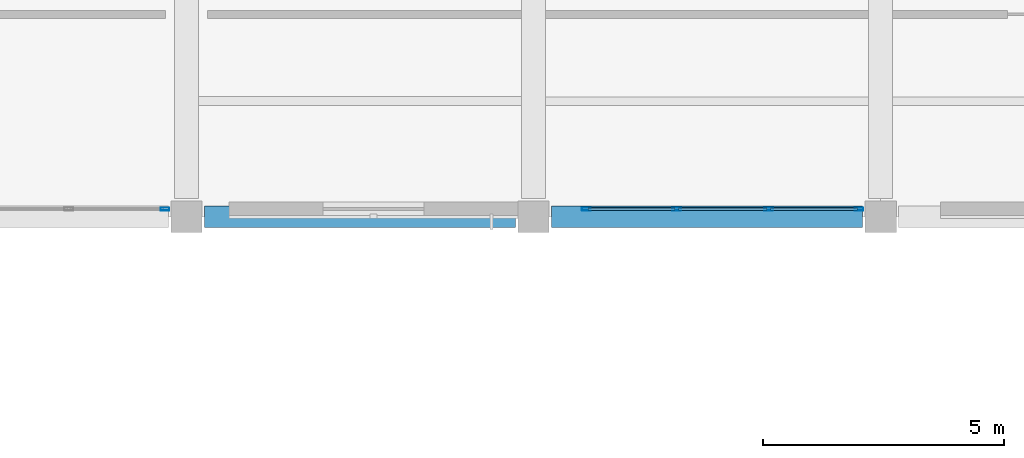
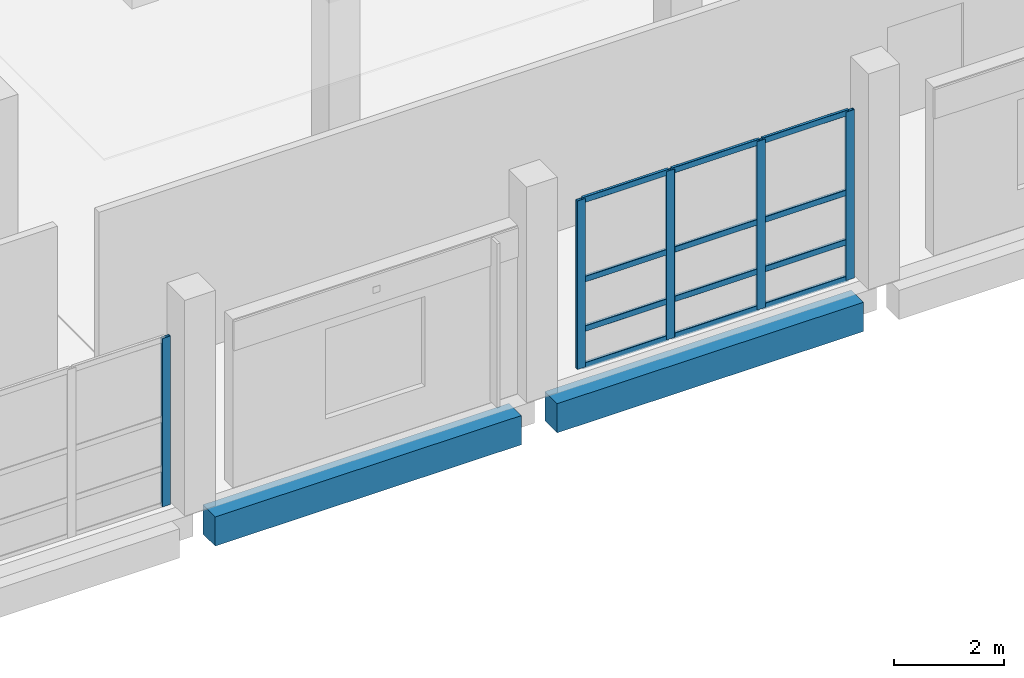
# One storey, part 53 of 127: 17 members, 2 beams, 2 elements without a shape of their own.
"""IFC4 building model written with IfcOpenShell, lengths in metres."""

from ifc_helpers import new_model, si_unit, direction, frame, origin, origin_2d, place, context, subcontext, project, spatial, rectangle, hollow_rectangle, extrude, material, material_profile, profile_set, type_object, element, aggregate, save


model = new_model("IFC4")

# Units and contexts
model_context = context("Model", 3, precision=1e-05, world=origin(), true_north=direction((0.0, 1.0)))
body_context = subcontext(model_context, "Body", "Model", "MODEL_VIEW")
ifc_project = project(units=[si_unit("LENGTHUNIT", "METRE"), si_unit("AREAUNIT", "SQUARE_METRE"), si_unit("VOLUMEUNIT", "CUBIC_METRE"), si_unit("PLANEANGLEUNIT", "RADIAN"), si_unit("MASSUNIT", "GRAM", prefix="KILO")], contexts=[model_context])

# Site, building, storey
site_placement = place(None, origin())
site = spatial("IfcSite", under=ifc_project, at=site_placement, CompositionType="ELEMENT")
building_placement = place(site_placement, origin())
building = spatial("IfcBuilding", under=site, at=building_placement, Name="Kalmorath City Hall", CompositionType="ELEMENT")
storey_placement = place(building_placement, frame((0.0, 0.0, 5.39990234375)))
storey = spatial("IfcBuildingStorey", under=building, at=storey_placement, Name="L01", CompositionType="ELEMENT", Elevation=5.39990234375)

# Beams
ifc_material_1 = material(Name="Concrete C40/50", Category="concrete")
ifc_material_profile_1 = material_profile(ifc_material_1, rectangle(XDim=0.449951171875, YDim=0.64990234375, at=origin_2d()), Name="RC-BM-450X650")
ifc_profile_set_1 = profile_set([ifc_material_profile_1], Name="Concrete C40/50")
beam_type = type_object("IfcBeamType", Name="Concrete spandrel beam 450x650", PredefinedType="SPANDREL", material=ifc_profile_set_1)
for number, where, z_axis, x_axis, name in (
    (1, (65.175048828125, 93.60009765625, -0.64892578125), (1.0, 0.0, 0.0), (0.0, 1.0, 0.0), "L01 girder CB5 X10-11/14"),
    (2, (72.375, 93.60009765625, -0.64892578125), (1.0, 0.0, 0.0), (0.0, 1.0, 0.0), "L01 girder CB5 X11-12/14"),
):
    element("IfcBeam", number, at=place(storey_placement, frame(where, z_axis=z_axis, x_axis=x_axis)), inside=storey, type_object=beam_type, Name=name, PredefinedType="SPANDREL", context=body_context, shape_type="SweptSolid", body=[
        extrude(rectangle(XDim=0.449951171875, YDim=0.64990234375, at=origin_2d()), origin(), (0.0, 0.0, 1.0), 6.449951171875),
    ])

# Curtain wall, members
ifc_material_2 = material(Name="Anodised aluminium and laminated glass", Category="aluminium")
curtain_wall_type_1 = type_object("IfcCurtainWallType", Name="Unitised hurricane curtain wall 5724x3751 M1750", PredefinedType="NOTDEFINED", material=ifc_material_2)
curtain_wall_1_placement = place(storey_placement, origin())
curtain_wall_1 = element("IfcCurtainWall", 3, at=curtain_wall_1_placement, inside=storey, type_object=curtain_wall_type_1, Name="L01 curtain wall CW-57X38M18 #104", PredefinedType="NOTDEFINED")
ifc_material_3 = material(Name="Anodised aluminium framing", Category="aluminium")
ifc_material_profile_2 = material_profile(ifc_material_3, hollow_rectangle(XDim=0.06494140625, YDim=0.179931640625, WallThickness=0.00390625, InnerFilletRadius=0.00390625, OuterFilletRadius=0.008056640625, at=origin_2d()), Name="ALU-MUL-180X65X4")
ifc_profile_set_2 = profile_set([ifc_material_profile_2], Name="Anodised aluminium framing")
member_type_1 = type_object("IfcMemberType", Name="Curtain-wall courtyard mullion 180x65", PredefinedType="MULLION", material=ifc_profile_set_2)
member_1_placement = place(storey_placement, frame((78.75244140625, 93.760009765625, 0.0), z_axis=(0.0, 0.0, 1.0), x_axis=(0.0, -1.0, 0.0)))
member_1 = element("IfcMember", 4, at=member_1_placement, type_object=member_type_1, Name="CW-57X38M18 mullion 1", PredefinedType="MULLION", context=body_context, shape_type="SweptSolid", body=[
    extrude(hollow_rectangle(XDim=0.06494140625, YDim=0.179931640625, WallThickness=0.00390625, InnerFilletRadius=0.00390625, OuterFilletRadius=0.008056640625, at=origin_2d()), origin(), (0.0, 0.0, 1.0), 3.7509765625),
])
member_2_placement = place(storey_placement, frame((76.877197265625, 93.760009765625, 0.0), z_axis=(0.0, 0.0, 1.0), x_axis=(0.0, -1.0, 0.0)))
member_2 = element("IfcMember", 5, at=member_2_placement, type_object=member_type_1, Name="CW-57X38M18 mullion 2", PredefinedType="MULLION", context=body_context, shape_type="SweptSolid", body=[
    extrude(hollow_rectangle(XDim=0.06494140625, YDim=0.179931640625, WallThickness=0.00390625, InnerFilletRadius=0.00390625, OuterFilletRadius=0.008056640625, at=origin_2d()), origin(), (0.0, 0.0, 1.0), 3.7509765625),
])
member_3_placement = place(storey_placement, frame((74.96923828125, 93.760009765625, 0.0), z_axis=(0.0, 0.0, 1.0), x_axis=(0.0, -1.0, 0.0)))
member_3 = element("IfcMember", 6, at=member_3_placement, type_object=member_type_1, Name="CW-57X38M18 mullion 3", PredefinedType="MULLION", context=body_context, shape_type="SweptSolid", body=[
    extrude(hollow_rectangle(XDim=0.06494140625, YDim=0.179931640625, WallThickness=0.00390625, InnerFilletRadius=0.00390625, OuterFilletRadius=0.008056640625, at=origin_2d()), origin(), (0.0, 0.0, 1.0), 3.7509765625),
])
member_4_placement = place(storey_placement, frame((73.093994140625, 93.760009765625, 0.0), z_axis=(0.0, 0.0, 1.0), x_axis=(0.0, -1.0, 0.0)))
member_4 = element("IfcMember", 7, at=member_4_placement, type_object=member_type_1, Name="CW-57X38M18 mullion 4", PredefinedType="MULLION", context=body_context, shape_type="SweptSolid", body=[
    extrude(hollow_rectangle(XDim=0.06494140625, YDim=0.179931640625, WallThickness=0.00390625, InnerFilletRadius=0.00390625, OuterFilletRadius=0.008056640625, at=origin_2d()), origin(), (0.0, 0.0, 1.0), 3.7509765625),
])

# Curtain wall, member
ifc_material_4 = material(Name="Anodised aluminium and laminated glass", Category="aluminium")
curtain_wall_type_2 = type_object("IfcCurtainWallType", Name="Unitised hurricane curtain wall 6077x3751 M1750", PredefinedType="NOTDEFINED", material=ifc_material_4)
curtain_wall_2_placement = place(storey_placement, origin())
curtain_wall_2 = element("IfcCurtainWall", 8, at=curtain_wall_2_placement, inside=storey, type_object=curtain_wall_type_2, Name="L01 curtain wall CW-61X38M18 #105", PredefinedType="NOTDEFINED")
member_5_placement = place(storey_placement, frame((64.3525390625, 93.760009765625, 0.0), z_axis=(0.0, 0.0, 1.0), x_axis=(0.0, -1.0, 0.0)))
member_5 = element("IfcMember", 9, at=member_5_placement, type_object=member_type_1, Name="CW-61X38M18 mullion 1", PredefinedType="MULLION", context=body_context, shape_type="SweptSolid", body=[
    extrude(hollow_rectangle(XDim=0.06494140625, YDim=0.179931640625, WallThickness=0.00390625, InnerFilletRadius=0.00390625, OuterFilletRadius=0.008056640625, at=origin_2d()), origin(), (0.0, 0.0, 1.0), 3.7509765625),
])
aggregate(curtain_wall_2, [member_5])

# Member
ifc_material_5 = material(Name="Anodised aluminium framing", Category="aluminium")
ifc_material_profile_3 = material_profile(ifc_material_5, hollow_rectangle(XDim=0.06005859375, YDim=0.1298828125, WallThickness=0.00341796875, InnerFilletRadius=0.00341796875, OuterFilletRadius=0.007080078125, at=origin_2d()), Name="ALU-TRN-130X60X3.5")
ifc_profile_set_3 = profile_set([ifc_material_profile_3], Name="Anodised aluminium framing")
member_type_2 = type_object("IfcMemberType", Name="Curtain-wall courtyard transom 130x60", PredefinedType="USERDEFINED", material=ifc_profile_set_3)
member_6_placement = place(storey_placement, frame((78.719970703125, 93.760009765625, 0.030029296875), z_axis=(-1.0, 0.0, 0.0), x_axis=(0.0, -1.0, 0.0)))
member_6 = element("IfcMember", 10, at=member_6_placement, type_object=member_type_2, Name="CW-57X38M18 transom 1.1", ObjectType="TRANSOM", PredefinedType="USERDEFINED", context=body_context, shape_type="SweptSolid", body=[
    extrude(hollow_rectangle(XDim=0.06005859375, YDim=0.1298828125, WallThickness=0.00341796875, InnerFilletRadius=0.00341796875, OuterFilletRadius=0.007080078125, at=origin_2d()), origin(), (0.0, 0.0, 1.0), 1.810302734375),
])

member_7_placement = place(storey_placement, frame((78.719970703125, 93.760009765625, 0.85009765625), z_axis=(-1.0, 0.0, 0.0), x_axis=(0.0, -1.0, 0.0)))
member_7 = element("IfcMember", 11, at=member_7_placement, type_object=member_type_2, Name="CW-57X38M18 transom 1.2", ObjectType="TRANSOM", PredefinedType="USERDEFINED", context=body_context, shape_type="SweptSolid", body=[
    extrude(hollow_rectangle(XDim=0.06005859375, YDim=0.1298828125, WallThickness=0.00341796875, InnerFilletRadius=0.00341796875, OuterFilletRadius=0.007080078125, at=origin_2d()), origin(), (0.0, 0.0, 1.0), 1.810302734375),
])

member_8_placement = place(storey_placement, frame((78.719970703125, 93.760009765625, 1.951171875), z_axis=(-1.0, 0.0, 0.0), x_axis=(0.0, -1.0, 0.0)))
member_8 = element("IfcMember", 12, at=member_8_placement, type_object=member_type_2, Name="CW-57X38M18 transom 1.3", ObjectType="TRANSOM", PredefinedType="USERDEFINED", context=body_context, shape_type="SweptSolid", body=[
    extrude(hollow_rectangle(XDim=0.06005859375, YDim=0.1298828125, WallThickness=0.00341796875, InnerFilletRadius=0.00341796875, OuterFilletRadius=0.007080078125, at=origin_2d()), origin(), (0.0, 0.0, 1.0), 1.810302734375),
])

member_9_placement = place(storey_placement, frame((78.719970703125, 93.760009765625, 3.72119140625), z_axis=(-1.0, 0.0, 0.0), x_axis=(0.0, -1.0, 0.0)))
member_9 = element("IfcMember", 13, at=member_9_placement, type_object=member_type_2, Name="CW-57X38M18 transom 1.4", ObjectType="TRANSOM", PredefinedType="USERDEFINED", context=body_context, shape_type="SweptSolid", body=[
    extrude(hollow_rectangle(XDim=0.06005859375, YDim=0.1298828125, WallThickness=0.00341796875, InnerFilletRadius=0.00341796875, OuterFilletRadius=0.007080078125, at=origin_2d()), origin(), (0.0, 0.0, 1.0), 1.810302734375),
])

member_10_placement = place(storey_placement, frame((76.8447265625, 93.760009765625, 0.030029296875), z_axis=(-1.0, 0.0, 0.0), x_axis=(0.0, -1.0, 0.0)))
member_10 = element("IfcMember", 14, at=member_10_placement, type_object=member_type_2, Name="CW-57X38M18 transom 2.1", ObjectType="TRANSOM", PredefinedType="USERDEFINED", context=body_context, shape_type="SweptSolid", body=[
    extrude(hollow_rectangle(XDim=0.06005859375, YDim=0.1298828125, WallThickness=0.00341796875, InnerFilletRadius=0.00341796875, OuterFilletRadius=0.007080078125, at=origin_2d()), origin(), (0.0, 0.0, 1.0), 1.843017578125),
])

member_11_placement = place(storey_placement, frame((76.8447265625, 93.760009765625, 0.85009765625), z_axis=(-1.0, 0.0, 0.0), x_axis=(0.0, -1.0, 0.0)))
member_11 = element("IfcMember", 15, at=member_11_placement, type_object=member_type_2, Name="CW-57X38M18 transom 2.2", ObjectType="TRANSOM", PredefinedType="USERDEFINED", context=body_context, shape_type="SweptSolid", body=[
    extrude(hollow_rectangle(XDim=0.06005859375, YDim=0.1298828125, WallThickness=0.00341796875, InnerFilletRadius=0.00341796875, OuterFilletRadius=0.007080078125, at=origin_2d()), origin(), (0.0, 0.0, 1.0), 1.843017578125),
])

member_12_placement = place(storey_placement, frame((76.8447265625, 93.760009765625, 1.951171875), z_axis=(-1.0, 0.0, 0.0), x_axis=(0.0, -1.0, 0.0)))
member_12 = element("IfcMember", 16, at=member_12_placement, type_object=member_type_2, Name="CW-57X38M18 transom 2.3", ObjectType="TRANSOM", PredefinedType="USERDEFINED", context=body_context, shape_type="SweptSolid", body=[
    extrude(hollow_rectangle(XDim=0.06005859375, YDim=0.1298828125, WallThickness=0.00341796875, InnerFilletRadius=0.00341796875, OuterFilletRadius=0.007080078125, at=origin_2d()), origin(), (0.0, 0.0, 1.0), 1.843017578125),
])

member_13_placement = place(storey_placement, frame((76.8447265625, 93.760009765625, 3.72119140625), z_axis=(-1.0, 0.0, 0.0), x_axis=(0.0, -1.0, 0.0)))
member_13 = element("IfcMember", 17, at=member_13_placement, type_object=member_type_2, Name="CW-57X38M18 transom 2.4", ObjectType="TRANSOM", PredefinedType="USERDEFINED", context=body_context, shape_type="SweptSolid", body=[
    extrude(hollow_rectangle(XDim=0.06005859375, YDim=0.1298828125, WallThickness=0.00341796875, InnerFilletRadius=0.00341796875, OuterFilletRadius=0.007080078125, at=origin_2d()), origin(), (0.0, 0.0, 1.0), 1.843017578125),
])

member_14_placement = place(storey_placement, frame((74.936767578125, 93.760009765625, 0.030029296875), z_axis=(-1.0, 0.0, 0.0), x_axis=(0.0, -1.0, 0.0)))
member_14 = element("IfcMember", 18, at=member_14_placement, type_object=member_type_2, Name="CW-57X38M18 transom 3.1", ObjectType="TRANSOM", PredefinedType="USERDEFINED", context=body_context, shape_type="SweptSolid", body=[
    extrude(hollow_rectangle(XDim=0.06005859375, YDim=0.1298828125, WallThickness=0.00341796875, InnerFilletRadius=0.00341796875, OuterFilletRadius=0.007080078125, at=origin_2d()), origin(), (0.0, 0.0, 1.0), 1.810302734375),
])

member_15_placement = place(storey_placement, frame((74.936767578125, 93.760009765625, 0.85009765625), z_axis=(-1.0, 0.0, 0.0), x_axis=(0.0, -1.0, 0.0)))
member_15 = element("IfcMember", 19, at=member_15_placement, type_object=member_type_2, Name="CW-57X38M18 transom 3.2", ObjectType="TRANSOM", PredefinedType="USERDEFINED", context=body_context, shape_type="SweptSolid", body=[
    extrude(hollow_rectangle(XDim=0.06005859375, YDim=0.1298828125, WallThickness=0.00341796875, InnerFilletRadius=0.00341796875, OuterFilletRadius=0.007080078125, at=origin_2d()), origin(), (0.0, 0.0, 1.0), 1.810302734375),
])

member_16_placement = place(storey_placement, frame((74.936767578125, 93.760009765625, 1.951171875), z_axis=(-1.0, 0.0, 0.0), x_axis=(0.0, -1.0, 0.0)))
member_16 = element("IfcMember", 20, at=member_16_placement, type_object=member_type_2, Name="CW-57X38M18 transom 3.3", ObjectType="TRANSOM", PredefinedType="USERDEFINED", context=body_context, shape_type="SweptSolid", body=[
    extrude(hollow_rectangle(XDim=0.06005859375, YDim=0.1298828125, WallThickness=0.00341796875, InnerFilletRadius=0.00341796875, OuterFilletRadius=0.007080078125, at=origin_2d()), origin(), (0.0, 0.0, 1.0), 1.810302734375),
])

member_17_placement = place(storey_placement, frame((74.936767578125, 93.760009765625, 3.72119140625), z_axis=(-1.0, 0.0, 0.0), x_axis=(0.0, -1.0, 0.0)))
member_17 = element("IfcMember", 21, at=member_17_placement, type_object=member_type_2, Name="CW-57X38M18 transom 3.4", ObjectType="TRANSOM", PredefinedType="USERDEFINED", context=body_context, shape_type="SweptSolid", body=[
    extrude(hollow_rectangle(XDim=0.06005859375, YDim=0.1298828125, WallThickness=0.00341796875, InnerFilletRadius=0.00341796875, OuterFilletRadius=0.007080078125, at=origin_2d()), origin(), (0.0, 0.0, 1.0), 1.810302734375),
])

aggregate(curtain_wall_1, [member_1, member_2, member_3, member_4, member_6, member_7, member_8, member_9, member_10, member_11, member_12, member_13, member_14, member_15, member_16, member_17])

save(model, "model.ifc")
